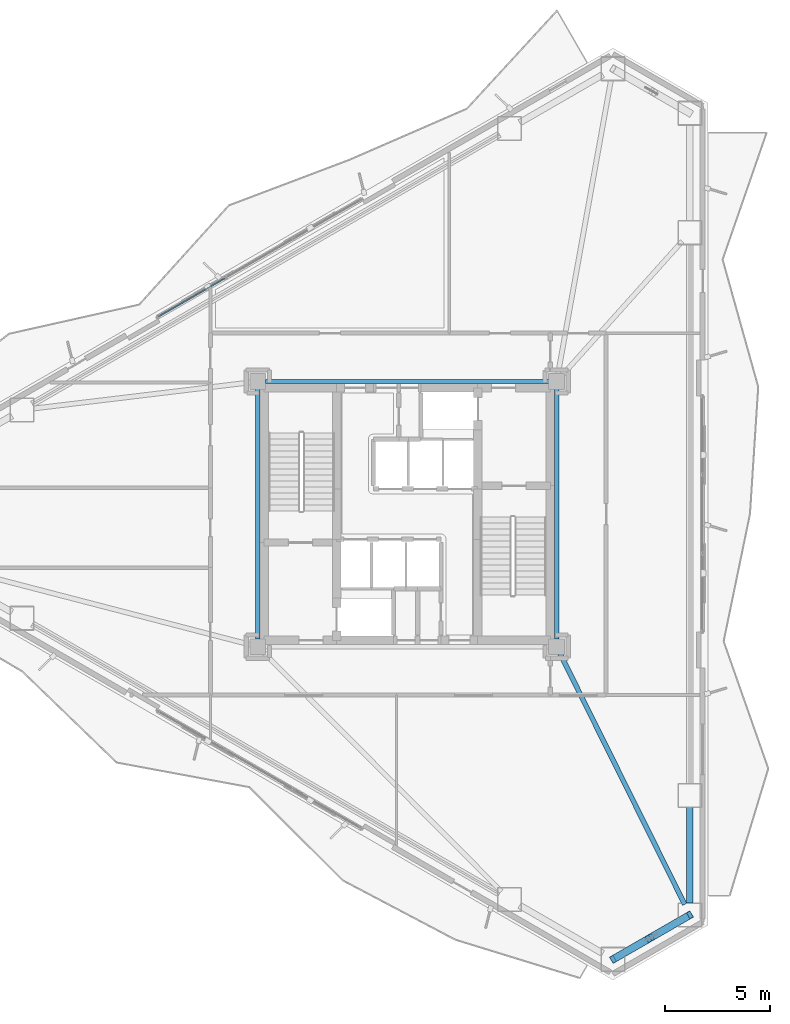
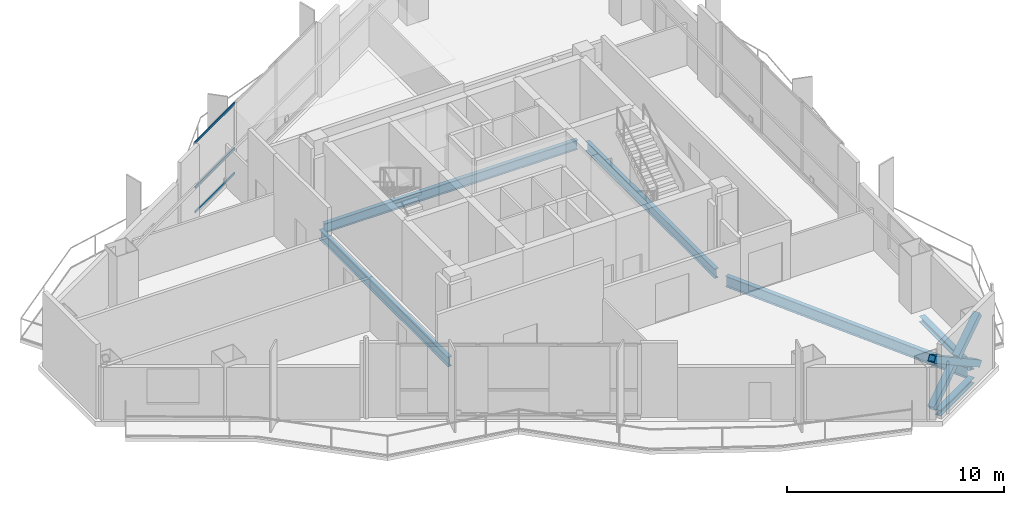
# One storey, part 6 of 20: 6 beams, 6 members, 1 element without a shape of its own.
"""IFC4 building model written with IfcOpenShell, lengths in metres."""

from ifc_helpers import new_model, si_unit, direction, frame, origin, origin_2d, place, context, subcontext, project, spatial, hollow_rectangle, i_section, extrude, material, layer, layer_set, material_profile, profile_set, type_object, element, aggregate, save


model = new_model("IFC4")

# Units and contexts
model_context = context("Model", 3, precision=1e-05, world=origin(), true_north=direction((0.0, 1.0)))
body_context = subcontext(model_context, "Body", "Model", "MODEL_VIEW")
ifc_project = project(units=[si_unit("LENGTHUNIT", "METRE"), si_unit("AREAUNIT", "SQUARE_METRE"), si_unit("VOLUMEUNIT", "CUBIC_METRE"), si_unit("PLANEANGLEUNIT", "RADIAN"), si_unit("MASSUNIT", "GRAM", prefix="KILO")], contexts=[model_context])

# Site, building, storey
site_placement = place(None, origin())
site = spatial("IfcSite", under=ifc_project, at=site_placement, CompositionType="ELEMENT")
building_placement = place(site_placement, origin())
building = spatial("IfcBuilding", under=site, at=building_placement, Name="Mersakhor Tower and Convention Hall", CompositionType="ELEMENT")
storey_placement = place(building_placement, frame((0.0, 0.0, 116.39990234375)))
storey = spatial("IfcBuildingStorey", under=building, at=storey_placement, Name="L32", CompositionType="ELEMENT", Elevation=116.39990234375)

# Beams
ifc_material_1 = material(Name="Steel S355", Category="steel")
ifc_material_profile_1 = material_profile(ifc_material_1, i_section(OverallWidth=0.2099609375, OverallDepth=0.53662109375, WebThickness=0.0107421875, FlangeThickness=0.017333984375, at=origin_2d()), Name="UB 533x210x101")
ifc_profile_set_1 = profile_set([ifc_material_profile_1], Name="Steel S355")
beam_type_1 = type_object("IfcBeamType", Name="BM-FB-533", PredefinedType="BEAM", material=ifc_profile_set_1)
beam_1_placement = place(storey_placement, frame((21.89990234375, 20.804931640625, -0.548095703125), z_axis=(0.0, 1.0, 0.0), x_axis=(-1.0, 0.0, 0.0)))
element("IfcBeam", 1, at=beam_1_placement, inside=storey, type_object=beam_type_1, Name="L32 Core Ring Tie Beam CRB-1", PredefinedType="BEAM", context=body_context, shape_type="SweptSolid", body=[
    extrude(i_section(OverallWidth=0.2099609375, OverallDepth=0.53662109375, WebThickness=0.0107421875, FlangeThickness=0.017333984375, at=origin_2d()), origin(), (0.0, 0.0, 1.0), 11.89013671875),
])
beam_2_placement = place(storey_placement, frame((22.2548828125, 33.050048828125, -0.548095703125), z_axis=(1.0, 0.0, 0.0), x_axis=(0.0, 1.0, 0.0)))
element("IfcBeam", 2, at=beam_2_placement, inside=storey, type_object=beam_type_1, Name="L32 Core Ring Tie Beam CRB-2", PredefinedType="BEAM", context=body_context, shape_type="SweptSolid", body=[
    extrude(i_section(OverallWidth=0.2099609375, OverallDepth=0.53662109375, WebThickness=0.0107421875, FlangeThickness=0.017333984375, at=origin_2d()), origin(), (0.0, 0.0, 1.0), 13.490234375),
])
beam_3_placement = place(storey_placement, frame((36.10009765625, 32.695068359375, -0.548095703125), z_axis=(0.0, -1.0, 0.0), x_axis=(1.0, 0.0, 0.0)))
element("IfcBeam", 3, at=beam_3_placement, inside=storey, type_object=beam_type_1, Name="L32 Core Ring Tie Beam CRB-3", PredefinedType="BEAM", context=body_context, shape_type="SweptSolid", body=[
    extrude(i_section(OverallWidth=0.2099609375, OverallDepth=0.53662109375, WebThickness=0.0107421875, FlangeThickness=0.017333984375, at=origin_2d()), origin(), (0.0, 0.0, 1.0), 11.89013671875),
])
ifc_material_2 = material(Name="Steel S355", Category="steel")
ifc_material_profile_2 = material_profile(ifc_material_2, i_section(OverallWidth=0.22900390625, OverallDepth=0.6123046875, WebThickness=0.011962890625, FlangeThickness=0.01953125, at=origin_2d()), Name="UB 610x229x125")
ifc_profile_set_2 = profile_set([ifc_material_profile_2], Name="Steel S355")
beam_type_2 = type_object("IfcBeamType", Name="BM-PR-610", PredefinedType="BEAM", material=ifc_profile_set_2)
beam_4_placement = place(storey_placement, frame((36.258056640625, 20.132080078125, -0.5859375), z_axis=(0.444984263658, -0.895538388399, 0.0), x_axis=(0.895538388399, 0.444984263658, 0.0)))
element("IfcBeam", 4, at=beam_4_placement, inside=storey, type_object=beam_type_2, Name="L32 Primary Floor Girder FG-4", PredefinedType="BEAM", context=body_context, shape_type="SweptSolid", body=[
    extrude(i_section(OverallWidth=0.22900390625, OverallDepth=0.6123046875, WebThickness=0.011962890625, FlangeThickness=0.01953125, at=origin_2d()), origin(), (0.0, 0.0, 1.0), 13.324951171875),
])
ifc_material_3 = material(Name="Steel S355", Category="steel")
ifc_material_profile_3 = material_profile(ifc_material_3, i_section(OverallWidth=0.30908203125, OverallDepth=0.320556640625, WebThickness=0.013916015625, FlangeThickness=0.021728515625, at=origin_2d()), Name="UC 305x305x137")
ifc_profile_set_3 = profile_set([ifc_material_profile_3], Name="Steel S355")
beam_type_3 = type_object("IfcBeamType", Name="BM-SPD-UC305", PredefinedType="SPANDREL", material=ifc_profile_set_3)
beam_5_placement = place(storey_placement, frame((42.4345703125, 12.8232421875, -0.440185546875), z_axis=(0.0, -1.0, 0.0), x_axis=(1.0, 0.0, 0.0)))
element("IfcBeam", 5, at=beam_5_placement, inside=storey, type_object=beam_type_3, Name="L32 Perimeter Spandrel Beam SPB-07", PredefinedType="SPANDREL", context=body_context, shape_type="SweptSolid", body=[
    extrude(i_section(OverallWidth=0.30908203125, OverallDepth=0.320556640625, WebThickness=0.013916015625, FlangeThickness=0.021728515625, at=origin_2d()), origin(), (0.0, 0.0, 1.0), 4.566162109375),
])
beam_6_placement = place(storey_placement, frame((41.9541015625, 7.424560546875, -0.440185546875), z_axis=(-0.866052319632, -0.499953377486, 0.0), x_axis=(0.499953377486, -0.866052319632, 0.0)))
element("IfcBeam", 6, at=beam_6_placement, inside=storey, type_object=beam_type_3, Name="L32 Perimeter Spandrel Beam SPB-08", PredefinedType="SPANDREL", context=body_context, shape_type="SweptSolid", body=[
    extrude(i_section(OverallWidth=0.30908203125, OverallDepth=0.320556640625, WebThickness=0.013916015625, FlangeThickness=0.021728515625, at=origin_2d()), origin(), (0.0, 0.0, 1.0), 3.111572265625),
])

# Curtain wall, members
ifc_material_4 = material(Name="Dark solar low-E aluminium curtain wall", Category="aluminium")
ifc_layer = layer(ifc_material_4, 0.199951171875)
ifc_layer_set = layer_set([ifc_layer], Name="Dark solar low-E aluminium curtain wall")
curtain_wall_type = type_object("IfcCurtainWallType", Name="CW-SYS-05", PredefinedType="USERDEFINED", material=ifc_layer_set)
curtain_wall_placement = place(storey_placement, origin())
curtain_wall = element("IfcCurtainWall", 7, at=curtain_wall_placement, inside=storey, type_object=curtain_wall_type, Name="L32 Dark-Glass Curtain Wall F1-B2", ObjectType="CURTAIN WALL", PredefinedType="USERDEFINED")
ifc_material_5 = material(Name="Anodised aluminium EN AW-6063 T6", Category="aluminium")
ifc_material_profile_4 = material_profile(ifc_material_5, hollow_rectangle(XDim=0.06005859375, YDim=0.1201171875, WallThickness=0.0048828125, at=origin_2d()), Name="RHS 120x60x5")
ifc_profile_set_4 = profile_set([ifc_material_profile_4], Name="Anodised aluminium EN AW-6063 T6")
member_type_1 = type_object("IfcMemberType", Name="CWT-120x60", PredefinedType="USERDEFINED", material=ifc_profile_set_4)
member_1_placement = place(storey_placement, frame((17.189453125, 36.136962890625, 0.22998046875), z_axis=(0.866028486751, 0.499994660107, 0.0), x_axis=(-0.499994660107, 0.866028486751, 0.0)))
member_1 = element("IfcMember", 8, at=member_1_placement, type_object=member_type_1, Name="CW-05 transom 1.1", ObjectType="TRANSOM", PredefinedType="USERDEFINED", context=body_context, shape_type="SweptSolid", body=[
    extrude(hollow_rectangle(XDim=0.06005859375, YDim=0.1201171875, WallThickness=0.0048828125, at=origin_2d()), origin(), (0.0, 0.0, 1.0), 3.623046875),
])
member_2_placement = place(storey_placement, frame((17.189453125, 36.136962890625, 1.6201171875), z_axis=(0.866028486751, 0.499994660107, 0.0), x_axis=(-0.499994660107, 0.866028486751, 0.0)))
member_2 = element("IfcMember", 9, at=member_2_placement, type_object=member_type_1, Name="CW-05 transom 1.2", ObjectType="TRANSOM", PredefinedType="USERDEFINED", context=body_context, shape_type="SweptSolid", body=[
    extrude(hollow_rectangle(XDim=0.06005859375, YDim=0.1201171875, WallThickness=0.0048828125, at=origin_2d()), origin(), (0.0, 0.0, 1.0), 3.623046875),
])
member_3_placement = place(storey_placement, frame((17.189453125, 36.136962890625, 4.150146484375), z_axis=(0.866028486751, 0.499994660107, 0.0), x_axis=(-0.499994660107, 0.866028486751, 0.0)))
member_3 = element("IfcMember", 10, at=member_3_placement, type_object=member_type_1, Name="CW-05 transom 1.3", ObjectType="TRANSOM", PredefinedType="USERDEFINED", context=body_context, shape_type="SweptSolid", body=[
    extrude(hollow_rectangle(XDim=0.06005859375, YDim=0.1201171875, WallThickness=0.0048828125, at=origin_2d()), origin(), (0.0, 0.0, 1.0), 3.623046875),
])
aggregate(curtain_wall, [member_1, member_2, member_3])

# Members
ifc_material_6 = material(Name="Steel S460", Category="steel")
ifc_material_profile_5 = material_profile(ifc_material_6, hollow_rectangle(XDim=0.35009765625, YDim=0.35009765625, WallThickness=0.02001953125, at=origin_2d()), Name="SHS 350x350x20")
ifc_profile_set_5 = profile_set([ifc_material_profile_5], Name="Steel S460")
member_type_2 = type_object("IfcMemberType", Name="MB-BRC-SHS350", PredefinedType="BRACE", material=ifc_profile_set_5)
member_4_placement = place(storey_placement, frame((42.4345703125, 7.701904296875, 0.150146484375), z_axis=(-0.722483598076, -0.417114378614, 0.551391916576), x_axis=(0.49998946241, -0.866031487579, 0.0)))
element("IfcMember", 11, at=member_4_placement, inside=storey, type_object=member_type_2, Name="L32 Chamfer Braced Frame Diagonal CB-2A", PredefinedType="BRACE", context=body_context, shape_type="SweptSolid", body=[
    extrude(hollow_rectangle(XDim=0.35009765625, YDim=0.35009765625, WallThickness=0.02001953125, at=origin_2d()), origin(), (0.0, 0.0, 1.0), 5.06005859375),
])
for number, where, z_axis, x_axis, name in (
    (12, (38.77880859375, 5.59130859375, 0.150146484375), (0.722471454176, 0.417148735281, 0.551381837346), (-0.500026652407, 0.866010015463, 0.0), "L32 Chamfer Braced Frame Diagonal CB-2B Lower Half"),
    (13, (40.75, 6.729248046875, 1.654296875), (0.72242974339, 0.417124651835, 0.551454704121), (-0.500026652407, 0.866010015463, 0.0), "L32 Chamfer Braced Frame Diagonal CB-2B Upper Half"),
):
    element("IfcMember", number, at=place(storey_placement, frame(where, z_axis=z_axis, x_axis=x_axis)), inside=storey, type_object=member_type_2, Name=name, PredefinedType="BRACE", context=body_context, shape_type="SweptSolid", body=[
        extrude(hollow_rectangle(XDim=0.35009765625, YDim=0.35009765625, WallThickness=0.02001953125, at=origin_2d()), origin(), (0.0, 0.0, 1.0), 2.331787109375),
    ])

save(model, "model.ifc")
